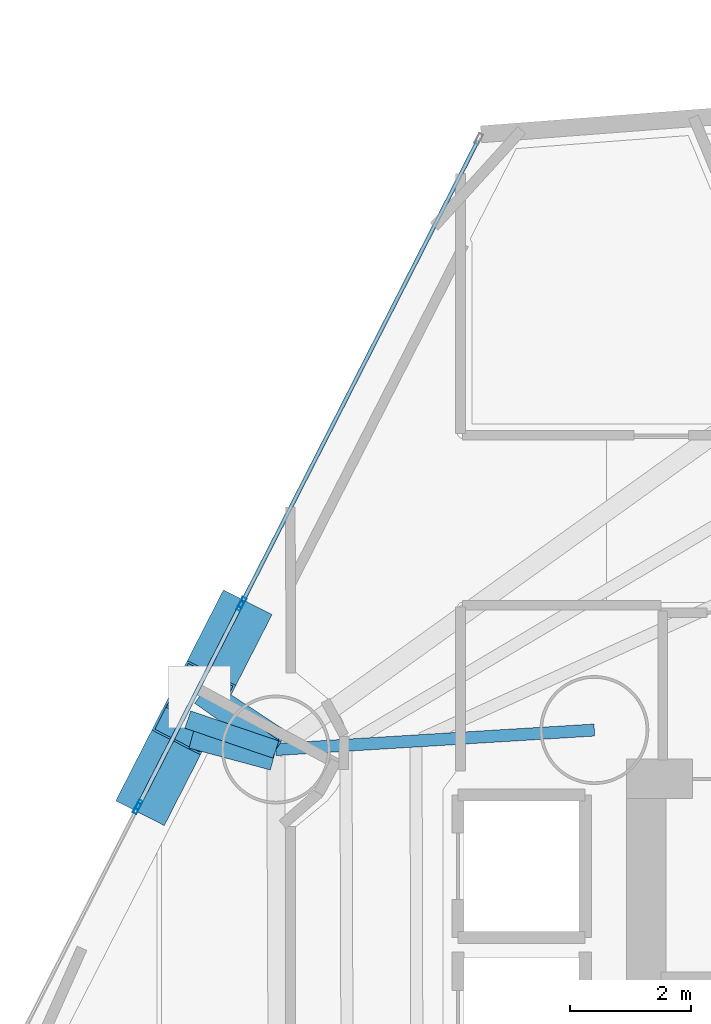
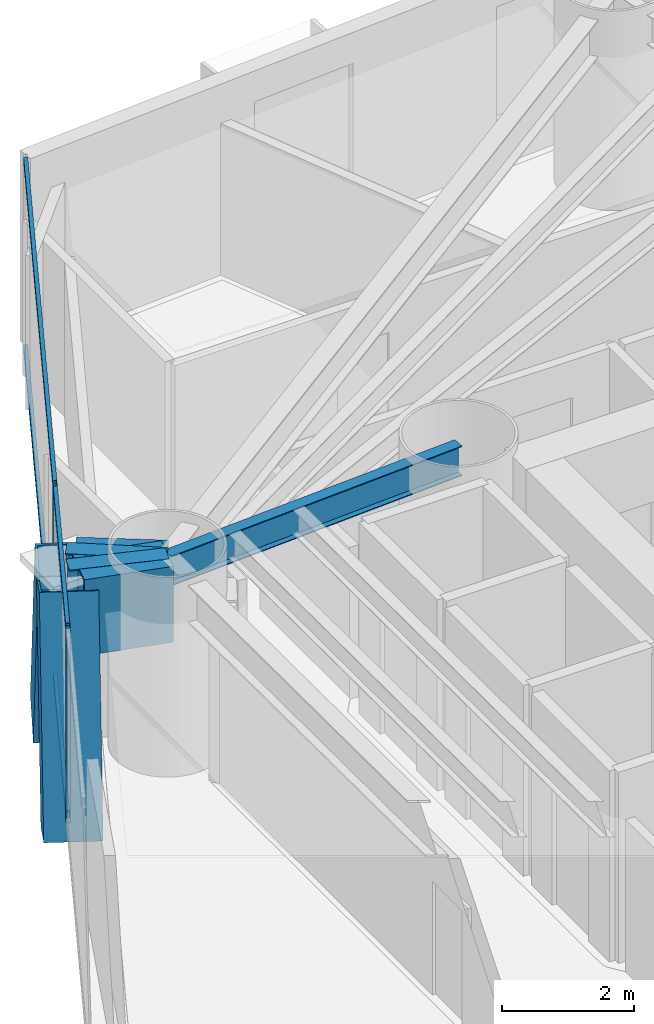
# One storey, part 7 of 23: 10 members, 5 beams, 3 elements without a shape of their own.
"""IFC4 building model written with IfcOpenShell, lengths in metres."""

from ifc_helpers import new_model, si_unit, direction, frame, origin, origin_2d, place, context, subcontext, project, spatial, hollow_rectangle, i_section, extrude, material, layer, layer_set, material_profile, profile_set, type_object, element, aggregate, save


model = new_model("IFC4")

# Units and contexts
model_context = context("Model", 3, precision=1e-05, world=origin(), true_north=direction((0.0, 1.0)))
body_context = subcontext(model_context, "Body", "Model", "MODEL_VIEW")
ifc_project = project(units=[si_unit("LENGTHUNIT", "METRE"), si_unit("AREAUNIT", "SQUARE_METRE"), si_unit("VOLUMEUNIT", "CUBIC_METRE"), si_unit("PLANEANGLEUNIT", "RADIAN"), si_unit("MASSUNIT", "GRAM", prefix="KILO")], contexts=[model_context])

# Site, building, storey
site_placement = place(None, origin())
site = spatial("IfcSite", under=ifc_project, at=site_placement, CompositionType="ELEMENT")
building_placement = place(site_placement, origin())
building = spatial("IfcBuilding", under=site, at=building_placement, Name="Qianvela Tower", CompositionType="ELEMENT")
storey_placement = place(building_placement, frame((0.0, 0.0, 36.800048828125)))
storey = spatial("IfcBuildingStorey", under=building, at=storey_placement, Name="L08", CompositionType="ELEMENT", Elevation=36.800048828125)

# Beams
ifc_material_1 = material(Name="Steel Q355B", Category="steel")
ifc_material_profile_1 = material_profile(ifc_material_1, i_section(OverallWidth=0.199951171875, OverallDepth=0.550048828125, WebThickness=0.010009765625, FlangeThickness=0.01611328125, at=origin_2d()), Name="HN550x200x10x16")
ifc_profile_set_1 = profile_set([ifc_material_profile_1], Name="Steel Q355B")
beam_type_1 = type_object("IfcBeamType", Name="BM-HN550-GIRD", PredefinedType="BEAM", material=ifc_profile_set_1)
beam_1_placement = place(storey_placement, frame((28.60009765625, 33.550048828125, 3.242919921875), z_axis=(-0.998132820146, -0.061080875465, 0.0), x_axis=(0.061080875465, -0.998132820146, 0.0)))
element("IfcBeam", 1, at=beam_1_placement, inside=storey, type_object=beam_type_1, Name="L08 Radial Primary Floor Girder 4", PredefinedType="BEAM", context=body_context, shape_type="SweptSolid", body=[
    extrude(i_section(OverallWidth=0.199951171875, OverallDepth=0.550048828125, WebThickness=0.010009765625, FlangeThickness=0.01611328125, at=origin_2d()), origin(), (0.0, 0.0, 1.0), 5.27197265625),
])
ifc_material_2 = material(Name="Steel Q355B", Category="steel")
ifc_material_profile_2 = material_profile(ifc_material_2, i_section(OverallWidth=0.300048828125, OverallDepth=0.699951171875, WebThickness=0.012939453125, FlangeThickness=0.02392578125, at=origin_2d()), Name="HN700x300x13x24")
ifc_profile_set_2 = profile_set([ifc_material_profile_2], Name="Steel Q355B")
beam_type_2 = type_object("IfcBeamType", Name="BM-HN700-SPAND", PredefinedType="SPANDREL", material=ifc_profile_set_2)
beam_2_placement = place(storey_placement, frame((23.337890625, 33.22802734375, 3.16796875), z_axis=(-0.816377262248, 0.577518974306, 0.0), x_axis=(-0.577518974306, -0.816377262248, 0.0)))
element("IfcBeam", 2, at=beam_2_placement, inside=storey, type_object=beam_type_2, Name="L08 Mega-Brace Column Tie Bracket F2-1", PredefinedType="SPANDREL", context=body_context, shape_type="SweptSolid", body=[
    extrude(i_section(OverallWidth=0.300048828125, OverallDepth=0.699951171875, WebThickness=0.012939453125, FlangeThickness=0.02392578125, at=origin_2d()), origin(), (0.0, 0.0, 1.0), 1.5361328125),
])
beam_3_placement = place(storey_placement, frame((23.337890625, 33.22802734375, 3.16796875), z_axis=(-0.946597290393, 0.322418314958, 0.0), x_axis=(-0.322418314958, -0.946597290393, 0.0)))
element("IfcBeam", 3, at=beam_3_placement, inside=storey, type_object=beam_type_2, Name="L08 Mega-Brace Column Tie Bracket F2-2", PredefinedType="SPANDREL", context=body_context, shape_type="SweptSolid", body=[
    extrude(i_section(OverallWidth=0.300048828125, OverallDepth=0.699951171875, WebThickness=0.012939453125, FlangeThickness=0.02392578125, at=origin_2d()), origin(), (0.0, 0.0, 1.0), 1.536376953125),
])
ifc_material_3 = material(Name="Steel Q420GJC", Category="steel")
ifc_material_profile_3 = material_profile(ifc_material_3, hollow_rectangle(XDim=0.699951171875, YDim=1.39990234375, WallThickness=0.0400390625, at=origin_2d()), Name="TG-BOX-1400x700x40")
ifc_profile_set_3 = profile_set([ifc_material_profile_3], Name="Steel Q420GJC")
beam_type_3 = type_object("IfcBeamType", Name="BM-TG-STEP-1400", PredefinedType="BEAM", material=ifc_profile_set_3)
beam_4_placement = place(storey_placement, frame((23.337890625, 33.22802734375, 2.81494140625), z_axis=(-0.836183692516, 0.548449480236, 0.0), x_axis=(-0.548449480236, -0.836183692516, 0.0)))
element("IfcBeam", 4, at=beam_4_placement, inside=storey, type_object=beam_type_3, Name="L08 Mega-Brace Zone Base Bracket F2-1", PredefinedType="BEAM", context=body_context, shape_type="SweptSolid", body=[
    extrude(hollow_rectangle(XDim=0.699951171875, YDim=1.39990234375, WallThickness=0.0400390625, at=origin_2d()), origin(), (0.0, 0.0, 1.0), 1.3916015625),
])
beam_5_placement = place(storey_placement, frame((23.337890625, 33.22802734375, 2.81494140625), z_axis=(-0.965641167587, 0.259879078538, 0.0), x_axis=(-0.259879078538, -0.965641167587, 0.0)))
element("IfcBeam", 5, at=beam_5_placement, inside=storey, type_object=beam_type_3, Name="L08 Mega-Brace Zone Base Bracket F2-2", PredefinedType="BEAM", context=body_context, shape_type="SweptSolid", body=[
    extrude(hollow_rectangle(XDim=0.699951171875, YDim=1.39990234375, WallThickness=0.0400390625, at=origin_2d()), origin(), (0.0, 0.0, 1.0), 1.391357421875),
])

# Curtain wall, members
ifc_material_4 = material(Name="Anodised Architectural Aluminium and Insulated Spandrel Panel", Category="aluminium")
ifc_layer_1 = layer(ifc_material_4, 0.179931640625)
ifc_layer_set_1 = layer_set([ifc_layer_1], Name="Anodised Architectural Aluminium and Insulated Spandrel Panel")
curtain_wall_type_1 = type_object("IfcCurtainWallType", Name="CW-BRACEBAY", PredefinedType="USERDEFINED", material=ifc_layer_set_1)
curtain_wall_1_placement = place(storey_placement, origin())
curtain_wall_1 = element("IfcCurtainWall", 6, at=curtain_wall_1_placement, inside=storey, type_object=curtain_wall_type_1, Name="L08 CW-BRACEBAY Curtain Wall 04B", ObjectType="CURTAIN_WALL_SYSTEM", PredefinedType="USERDEFINED")
ifc_material_5 = material(Name="Anodised Architectural Aluminium 6063-T6", Category="aluminium")
ifc_material_profile_4 = material_profile(ifc_material_5, hollow_rectangle(XDim=0.06494140625, YDim=0.159912109375, WallThickness=0.0048828125, at=origin_2d()), Name="ALU-MULL-65x160")
ifc_profile_set_4 = profile_set([ifc_material_profile_4], Name="Anodised Architectural Aluminium 6063-T6")
member_type_1 = type_object("IfcMemberType", Name="CW-BRACEBAY-MULL", PredefinedType="MULLION", material=ifc_profile_set_4)
member_1_placement = place(storey_placement, frame((22.75048828125, 35.59765625, 0.0), z_axis=(0.0, 0.0, 1.0), x_axis=(0.890689816504, -0.454611538324, 0.0)))
member_1 = element("IfcMember", 7, at=member_1_placement, type_object=member_type_1, Name="CW-9 mullion 1", PredefinedType="MULLION", context=body_context, shape_type="SweptSolid", body=[
    extrude(hollow_rectangle(XDim=0.06494140625, YDim=0.159912109375, WallThickness=0.0048828125, at=origin_2d()), origin(), (0.0, 0.0, 1.0), 3.52001953125),
])
member_2_placement = place(storey_placement, frame((21.0751953125, 32.3154296875, 0.0), z_axis=(0.0, 0.0, 1.0), x_axis=(0.890689816504, -0.454611538324, 0.0)))
member_2 = element("IfcMember", 8, at=member_2_placement, type_object=member_type_1, Name="CW-9 mullion 2", PredefinedType="MULLION", context=body_context, shape_type="SweptSolid", body=[
    extrude(hollow_rectangle(XDim=0.06494140625, YDim=0.159912109375, WallThickness=0.0048828125, at=origin_2d()), origin(), (0.0, 0.0, 1.0), 3.52001953125),
])
ifc_material_6 = material(Name="Anodised Architectural Aluminium 6063-T6", Category="aluminium")
ifc_material_profile_5 = material_profile(ifc_material_6, hollow_rectangle(XDim=0.06494140625, YDim=0.1298828125, WallThickness=0.00439453125, at=origin_2d()), Name="ALU-TRAN-65x130")
ifc_profile_set_5 = profile_set([ifc_material_profile_5], Name="Anodised Architectural Aluminium 6063-T6")
member_type_2 = type_object("IfcMemberType", Name="CW-BRACEBAY-TRAN", PredefinedType="USERDEFINED", material=ifc_profile_set_5)
member_3_placement = place(storey_placement, frame((22.73583984375, 35.568603515625, 0.032470703125), z_axis=(-0.454643981698, -0.890673256535, 0.0), x_axis=(0.890673256535, -0.454643981698, 0.0)))
member_3 = element("IfcMember", 9, at=member_3_placement, type_object=member_type_2, Name="CW-9 transom 1.1", ObjectType="TRANSOM", PredefinedType="USERDEFINED", context=body_context, shape_type="SweptSolid", body=[
    extrude(hollow_rectangle(XDim=0.06494140625, YDim=0.1298828125, WallThickness=0.00439453125, at=origin_2d()), origin(), (0.0, 0.0, 1.0), 3.619873046875),
])
member_4_placement = place(storey_placement, frame((22.73583984375, 35.568603515625, 3.487548828125), z_axis=(-0.454643981698, -0.890673256535, 0.0), x_axis=(0.890673256535, -0.454643981698, 0.0)))
member_4 = element("IfcMember", 10, at=member_4_placement, type_object=member_type_2, Name="CW-9 transom 1.2", ObjectType="TRANSOM", PredefinedType="USERDEFINED", context=body_context, shape_type="SweptSolid", body=[
    extrude(hollow_rectangle(XDim=0.06494140625, YDim=0.1298828125, WallThickness=0.00439453125, at=origin_2d()), origin(), (0.0, 0.0, 1.0), 3.619873046875),
])
aggregate(curtain_wall_1, [member_1, member_2, member_3, member_4])

# Curtain wall, member
ifc_material_7 = material(Name="Anodised Architectural Aluminium and Low-E Glass", Category="aluminium")
ifc_layer_2 = layer(ifc_material_7, 0.179931640625)
ifc_layer_set_2 = layer_set([ifc_layer_2], Name="Anodised Architectural Aluminium and Low-E Glass")
curtain_wall_type_2 = type_object("IfcCurtainWallType", Name="CW-COLIV-Z12", PredefinedType="USERDEFINED", material=ifc_layer_set_2)
curtain_wall_2_placement = place(storey_placement, origin())
curtain_wall_2 = element("IfcCurtainWall", 11, at=curtain_wall_2_placement, inside=storey, type_object=curtain_wall_type_2, Name="L08 CW-COLIV-Z12 Curtain Wall 04A", ObjectType="CURTAIN_WALL_SYSTEM", PredefinedType="USERDEFINED")
ifc_material_8 = material(Name="Anodised Architectural Aluminium 6063-T6", Category="aluminium")
ifc_material_profile_6 = material_profile(ifc_material_8, hollow_rectangle(XDim=0.070068359375, YDim=0.179931640625, WallThickness=0.0048828125, at=origin_2d()), Name="ALU-MULL-70x180")
ifc_profile_set_6 = profile_set([ifc_material_profile_6], Name="Anodised Architectural Aluminium 6063-T6")
member_type_3 = type_object("IfcMemberType", Name="CW-COLIV-Z12-MULL", PredefinedType="MULLION", material=ifc_profile_set_6)
member_5_placement = place(storey_placement, frame((22.78125, 35.65771484375, 0.0), z_axis=(0.0, 0.0, 1.0), x_axis=(0.890689437434, -0.454612281008, 0.0)))
member_5 = element("IfcMember", 12, at=member_5_placement, type_object=member_type_3, Name="CW-3 mullion 2", PredefinedType="MULLION", context=body_context, shape_type="SweptSolid", body=[
    extrude(hollow_rectangle(XDim=0.070068359375, YDim=0.179931640625, WallThickness=0.0048828125, at=origin_2d()), origin(), (0.0, 0.0, 1.0), 3.52001953125),
])

curtain_wall_3_placement = place(storey_placement, origin())
curtain_wall_3 = element("IfcCurtainWall", 13, at=curtain_wall_3_placement, inside=storey, type_object=curtain_wall_type_2, Name="L08 CW-COLIV-Z12 Curtain Wall 04C", ObjectType="CURTAIN_WALL_SYSTEM", PredefinedType="USERDEFINED")
member_6_placement = place(storey_placement, frame((21.044677734375, 32.25537109375, 0.0), z_axis=(0.0, 0.0, 1.0), x_axis=(0.890685350863, -0.454620287448, 0.0)))
member_6 = element("IfcMember", 14, at=member_6_placement, type_object=member_type_3, Name="CW-3 mullion 1", PredefinedType="MULLION", context=body_context, shape_type="SweptSolid", body=[
    extrude(hollow_rectangle(XDim=0.070068359375, YDim=0.179931640625, WallThickness=0.0048828125, at=origin_2d()), origin(), (0.0, 0.0, 1.0), 3.52001953125),
])
aggregate(curtain_wall_3, [member_6])

# Member
ifc_material_9 = material(Name="Anodised Architectural Aluminium 6063-T6", Category="aluminium")
ifc_material_profile_7 = material_profile(ifc_material_9, hollow_rectangle(XDim=0.06494140625, YDim=0.1298828125, WallThickness=0.00439453125, at=origin_2d()), Name="ALU-TRAN-65x130")
ifc_profile_set_7 = profile_set([ifc_material_profile_7], Name="Anodised Architectural Aluminium 6063-T6")
member_type_4 = type_object("IfcMemberType", Name="CW-COLIV-Z12-TRAN", PredefinedType="USERDEFINED", material=ifc_profile_set_7)
member_7_placement = place(storey_placement, frame((26.675048828125, 43.28662109375, 0.032470703125), z_axis=(-0.454616789071, -0.890687136482, 0.0), x_axis=(0.890687136482, -0.454616789071, 0.0)))
member_7 = element("IfcMember", 15, at=member_7_placement, type_object=member_type_4, Name="CW-3 transom 1.1", ObjectType="TRANSOM", PredefinedType="USERDEFINED", context=body_context, shape_type="SweptSolid", body=[
    extrude(hollow_rectangle(XDim=0.06494140625, YDim=0.1298828125, WallThickness=0.00439453125, at=origin_2d()), origin(), (0.0, 0.0, 1.0), 8.530029296875),
])

member_8_placement = place(storey_placement, frame((26.675048828125, 43.28662109375, 3.487548828125), z_axis=(-0.454616789071, -0.890687136482, 0.0), x_axis=(0.890687136482, -0.454616789071, 0.0)))
member_8 = element("IfcMember", 16, at=member_8_placement, type_object=member_type_4, Name="CW-3 transom 1.2", ObjectType="TRANSOM", PredefinedType="USERDEFINED", context=body_context, shape_type="SweptSolid", body=[
    extrude(hollow_rectangle(XDim=0.06494140625, YDim=0.1298828125, WallThickness=0.00439453125, at=origin_2d()), origin(), (0.0, 0.0, 1.0), 8.530029296875),
])

aggregate(curtain_wall_2, [member_5, member_7, member_8])

# Members
ifc_material_10 = material(Name="Steel Q420GJC", Category="steel")
ifc_material_profile_8 = material_profile(ifc_material_10, hollow_rectangle(XDim=0.89990234375, YDim=0.89990234375, WallThickness=0.035888671875, at=origin_2d()), Name="MBOX-900x900x36")
ifc_profile_set_8 = profile_set([ifc_material_profile_8], Name="Steel Q420GJC")
member_type_5 = type_object("IfcMemberType", Name="MBR-MBRACE-900", PredefinedType="BRACE", material=ifc_profile_set_8)
for number, where, z_axis, x_axis, name in (
    (17, (22.680419921875, 35.2841796875, -0.531982421875), (-0.151988373027, -0.297757909188, 0.942464727181), (0.890675789123, -0.454639020179, 0.0), "L08 Tier 1 Exterior Mega-Brace F2A"),
    (18, (21.286865234375, 32.55419921875, -0.531982421875), (0.151985558431, 0.297814582376, 0.94244727415), (-0.890714229797, 0.454563703826, 0.0), "L08 Tier 1 Exterior Mega-Brace F2B"),
):
    element("IfcMember", number, at=place(storey_placement, frame(where, z_axis=z_axis, x_axis=x_axis)), inside=storey, type_object=member_type_5, Name=name, PredefinedType="BRACE", context=body_context, shape_type="SweptSolid", body=[
        extrude(hollow_rectangle(XDim=0.89990234375, YDim=0.89990234375, WallThickness=0.035888671875, at=origin_2d()), origin(), (0.0, 0.0, 1.0), 3.92578125),
    ])

save(model, "model.ifc")
